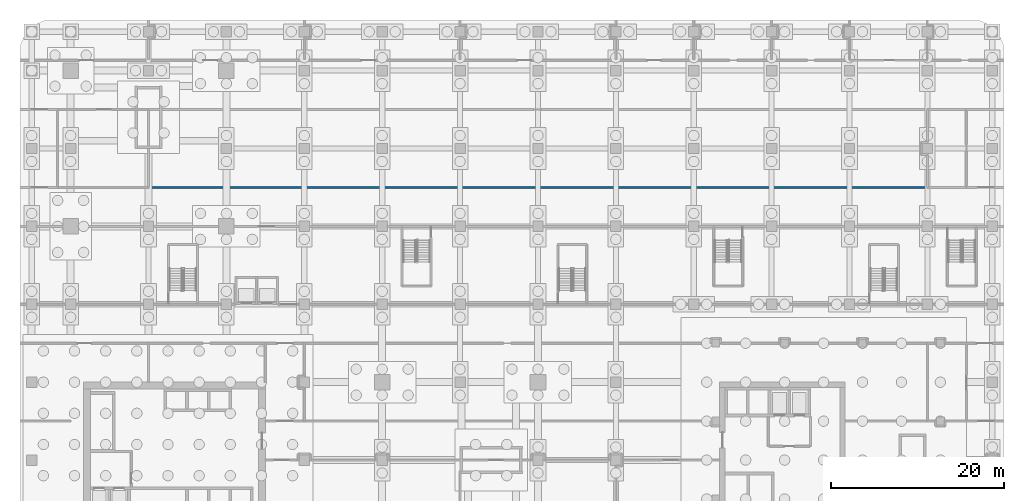
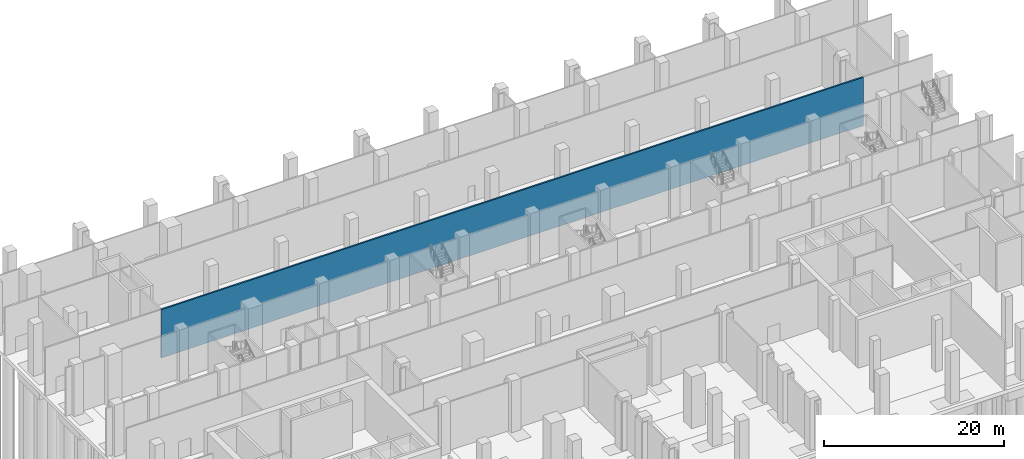
# One storey, part 11 of 23: 1 wall.
"""IFC4 building model written with IfcOpenShell, lengths in metres."""

from ifc_helpers import new_model, si_unit, direction, frame, frame_2d, origin, place, context, subcontext, project, spatial, rectangle, extrude, material, layer, layer_set, type_object, element, save


model = new_model("IFC4")

# Units and contexts
model_context = context("Model", 3, precision=1e-05, world=origin(), true_north=direction((0.0, 1.0)))
body_context = subcontext(model_context, "Body", "Model", "MODEL_VIEW")
ifc_project = project(units=[si_unit("LENGTHUNIT", "METRE"), si_unit("AREAUNIT", "SQUARE_METRE"), si_unit("VOLUMEUNIT", "CUBIC_METRE"), si_unit("PLANEANGLEUNIT", "RADIAN"), si_unit("MASSUNIT", "GRAM", prefix="KILO")], contexts=[model_context])

# Site, building, storey
site_placement = place(None, origin())
site = spatial("IfcSite", under=ifc_project, at=site_placement, CompositionType="ELEMENT")
building_placement = place(site_placement, origin())
building = spatial("IfcBuilding", under=site, at=building_placement, Name="Plateau Cross Towers", CompositionType="ELEMENT")
storey_placement = place(building_placement, frame((0.0, 0.0, -7.0)))
storey = spatial("IfcBuildingStorey", under=building, at=storey_placement, Name="B1", CompositionType="ELEMENT", Elevation=-7.0)

# Wall
ifc_material = material(Name="Gypsum board on steel studs", Category="steel")
ifc_layer = layer(ifc_material, 0.199951171875)
ifc_layer_set = layer_set([ifc_layer], Name="Gypsum board on steel studs")
wall_type = type_object("IfcWallType", Name="Podium partition 200", PredefinedType="PARTITIONING", material=ifc_layer_set)
wall_placement = place(storey_placement, frame((9.0, 40.5, 0.0), z_axis=(0.0, 0.0, 1.0), x_axis=(1.0, 0.0, 0.0)))
element("IfcWall", 1, at=wall_placement, inside=storey, type_object=wall_type, Name="Partition wall", PredefinedType="PARTITIONING", context=body_context, shape_type="SweptSolid", body=[
    extrude(rectangle(XDim=90.0, YDim=0.199951171875, at=frame_2d((45.0, 0.0))), origin(), (0.0, 0.0, 1.0), 6.550048828125),
])

save(model, "model.ifc")
